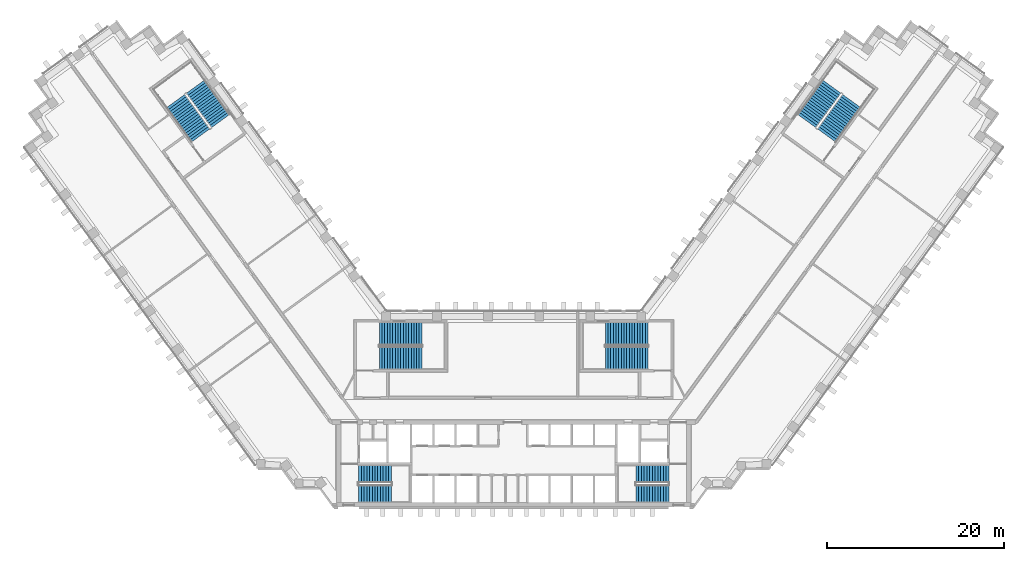
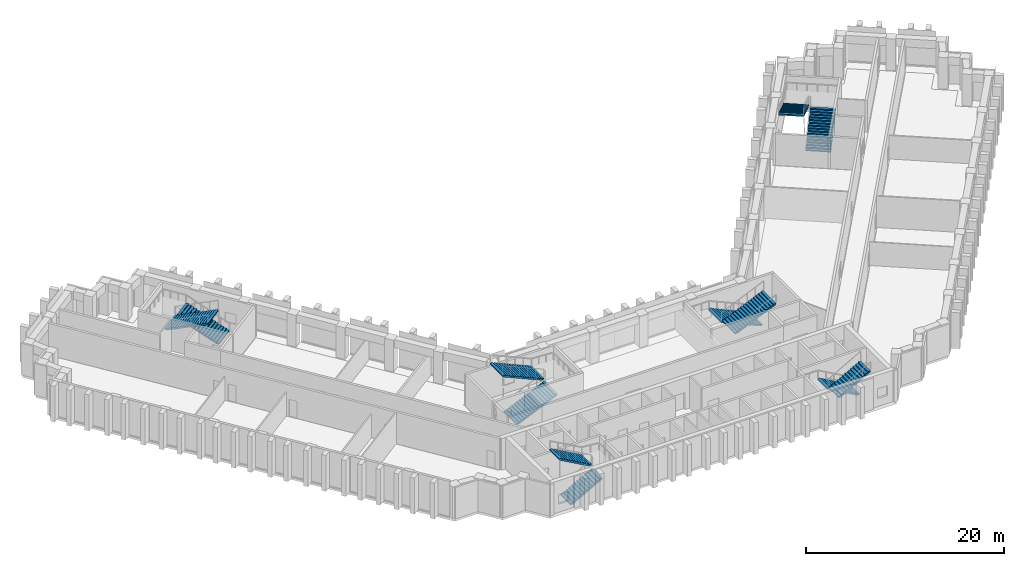
# One storey, part 11 of 14: 12 stair flights, 6 elements without a shape of their own.
"""IFC4 building model written with IfcOpenShell, lengths in metres."""

from ifc_helpers import new_model, si_unit, direction, frame, origin, place, context, subcontext, project, spatial, polyline, outline, extrude, material, type_object, element, aggregate, save


model = new_model("IFC4")

# Units and contexts
model_context = context("Model", 3, precision=1e-05, world=origin(), true_north=direction((0.0, 1.0)))
body_context = subcontext(model_context, "Body", "Model", "MODEL_VIEW")
ifc_project = project(units=[si_unit("LENGTHUNIT", "METRE"), si_unit("AREAUNIT", "SQUARE_METRE"), si_unit("VOLUMEUNIT", "CUBIC_METRE"), si_unit("PLANEANGLEUNIT", "RADIAN"), si_unit("MASSUNIT", "GRAM", prefix="KILO")], contexts=[model_context])

# Site, building, storey
site_placement = place(None, origin())
site = spatial("IfcSite", under=ifc_project, at=site_placement, CompositionType="ELEMENT")
building_placement = place(site_placement, origin())
building = spatial("IfcBuilding", under=site, at=building_placement, Name="Quipu Civic Tower", CompositionType="ELEMENT")
storey_placement = place(building_placement, frame((0.0, 0.0, 20.5)))
storey = spatial("IfcBuildingStorey", under=building, at=storey_placement, Name="L04", CompositionType="ELEMENT", Elevation=20.5)

# Stair, stair flights
ifc_material_1 = material(Name="Concrete C40/50", Category="concrete")
stair_type_1 = type_object("IfcStairType", Name="Half turn stair 2000", PredefinedType="HALF_TURN_STAIR", material=ifc_material_1)
stair_1_placement = place(storey_placement, origin())
stair_1 = element("IfcStair", 1, at=stair_1_placement, inside=storey, type_object=stair_type_1, Name="Exit stair 1", PredefinedType="HALF_TURN_STAIR")
ifc_material_2 = material(Name="Concrete C40/50", Category="concrete")
stair_flight_type_1 = type_object("IfcStairFlightType", Name="Stair flight 2000", PredefinedType="STRAIGHT", material=ifc_material_2)
stair_flight_1_placement = place(storey_placement, frame((-17.5, -9.5, 0.0), z_axis=(0.0, 0.0, 1.0), x_axis=(1.0, 0.0, 0.0)))
stair_flight_1 = element("IfcStairFlight", 2, at=stair_flight_1_placement, type_object=stair_flight_type_1, Name="ST-1 flight 1", NumberOfRisers=13, NumberOfTreads=12, PredefinedType="STRAIGHT", RiserHeight=0.173076923, TreadLength=0.31, context=body_context, shape_type="SweptSolid", body=[
    extrude(outline(polyline([(0.0, 0.0), (0.0, 0.173095703125), (0.31005859375, 0.173095703125), (0.31005859375, 0.34619140625), (0.6201171875, 0.34619140625), (0.6201171875, 0.519287109375), (0.929931640625, 0.519287109375), (0.929931640625, 0.6923828125), (1.239990234375, 0.6923828125), (1.239990234375, 0.865478515625), (1.550048828125, 0.865478515625), (1.550048828125, 1.03857421875), (1.860107421875, 1.03857421875), (1.860107421875, 1.21142578125), (2.169921875, 1.21142578125), (2.169921875, 1.384521484375), (2.47998046875, 1.384521484375), (2.47998046875, 1.5576171875), (2.7900390625, 1.5576171875), (2.7900390625, 1.730712890625), (3.10009765625, 1.730712890625), (3.10009765625, 1.90380859375), (3.409912109375, 1.90380859375), (3.409912109375, 2.076904296875), (3.719970703125, 2.076904296875), (3.719970703125, 2.25), (3.719970703125, 1.9052734375), (0.3076171875, 0.0), (0.0, 0.0)])), frame((0.0, 1.0, 0.0), z_axis=(0.0, -1.0, 0.0), x_axis=(1.0, 0.0, 0.0)), (0.0, 0.0, 1.0), 2.0),
])
stair_flight_2_placement = place(storey_placement, frame((-13.780029296875, -7.25, 2.25), z_axis=(0.0, 0.0, 1.0), x_axis=(-1.0, 0.0, 0.0)))
stair_flight_2 = element("IfcStairFlight", 3, at=stair_flight_2_placement, type_object=stair_flight_type_1, Name="ST-1 flight 2", NumberOfRisers=13, NumberOfTreads=12, PredefinedType="STRAIGHT", RiserHeight=0.173076923, TreadLength=0.31, context=body_context, shape_type="SweptSolid", body=[
    extrude(outline(polyline([(0.0, 0.0), (0.0, 0.173095703125), (0.31005859375, 0.173095703125), (0.31005859375, 0.34619140625), (0.6201171875, 0.34619140625), (0.6201171875, 0.519287109375), (0.929931640625, 0.519287109375), (0.929931640625, 0.6923828125), (1.239990234375, 0.6923828125), (1.239990234375, 0.865478515625), (1.550048828125, 0.865478515625), (1.550048828125, 1.03857421875), (1.860107421875, 1.03857421875), (1.860107421875, 1.21142578125), (2.169921875, 1.21142578125), (2.169921875, 1.384521484375), (2.47998046875, 1.384521484375), (2.47998046875, 1.5576171875), (2.7900390625, 1.5576171875), (2.7900390625, 1.730712890625), (3.10009765625, 1.730712890625), (3.10009765625, 1.90380859375), (3.409912109375, 1.90380859375), (3.409912109375, 2.076904296875), (3.719970703125, 2.076904296875), (3.719970703125, 2.25), (3.719970703125, 1.9052734375), (0.3076171875, 0.0), (0.0, 0.0)])), frame((0.0, 1.0, 0.0), z_axis=(0.0, -1.0, 0.0), x_axis=(1.0, 0.0, 0.0)), (0.0, 0.0, 1.0), 2.0),
])
aggregate(stair_1, [stair_flight_1, stair_flight_2])

stair_2_placement = place(storey_placement, origin())
stair_2 = element("IfcStair", 4, at=stair_2_placement, inside=storey, type_object=stair_type_1, Name="Exit stair 2", PredefinedType="HALF_TURN_STAIR")
stair_flight_3_placement = place(storey_placement, frame((17.5, -7.25, 0.0), z_axis=(0.0, 0.0, 1.0), x_axis=(-1.0, 0.0, 0.0)))
stair_flight_3 = element("IfcStairFlight", 5, at=stair_flight_3_placement, type_object=stair_flight_type_1, Name="ST-2 flight 1", NumberOfRisers=13, NumberOfTreads=12, PredefinedType="STRAIGHT", RiserHeight=0.173076923, TreadLength=0.31, context=body_context, shape_type="SweptSolid", body=[
    extrude(outline(polyline([(0.0, 0.0), (0.0, 0.173095703125), (0.31005859375, 0.173095703125), (0.31005859375, 0.34619140625), (0.6201171875, 0.34619140625), (0.6201171875, 0.519287109375), (0.929931640625, 0.519287109375), (0.929931640625, 0.6923828125), (1.239990234375, 0.6923828125), (1.239990234375, 0.865478515625), (1.550048828125, 0.865478515625), (1.550048828125, 1.03857421875), (1.860107421875, 1.03857421875), (1.860107421875, 1.21142578125), (2.169921875, 1.21142578125), (2.169921875, 1.384521484375), (2.47998046875, 1.384521484375), (2.47998046875, 1.5576171875), (2.7900390625, 1.5576171875), (2.7900390625, 1.730712890625), (3.10009765625, 1.730712890625), (3.10009765625, 1.90380859375), (3.409912109375, 1.90380859375), (3.409912109375, 2.076904296875), (3.719970703125, 2.076904296875), (3.719970703125, 2.25), (3.719970703125, 1.9052734375), (0.3076171875, 0.0), (0.0, 0.0)])), frame((0.0, 1.0, 0.0), z_axis=(0.0, -1.0, 0.0), x_axis=(1.0, 0.0, 0.0)), (0.0, 0.0, 1.0), 2.0),
])
stair_flight_4_placement = place(storey_placement, frame((13.780029296875, -9.5, 2.25), z_axis=(0.0, 0.0, 1.0), x_axis=(1.0, 0.0, 0.0)))
stair_flight_4 = element("IfcStairFlight", 6, at=stair_flight_4_placement, type_object=stair_flight_type_1, Name="ST-2 flight 2", NumberOfRisers=13, NumberOfTreads=12, PredefinedType="STRAIGHT", RiserHeight=0.173076923, TreadLength=0.31, context=body_context, shape_type="SweptSolid", body=[
    extrude(outline(polyline([(0.0, 0.0), (0.0, 0.173095703125), (0.31005859375, 0.173095703125), (0.31005859375, 0.34619140625), (0.6201171875, 0.34619140625), (0.6201171875, 0.519287109375), (0.929931640625, 0.519287109375), (0.929931640625, 0.6923828125), (1.239990234375, 0.6923828125), (1.239990234375, 0.865478515625), (1.550048828125, 0.865478515625), (1.550048828125, 1.03857421875), (1.860107421875, 1.03857421875), (1.860107421875, 1.21142578125), (2.169921875, 1.21142578125), (2.169921875, 1.384521484375), (2.47998046875, 1.384521484375), (2.47998046875, 1.5576171875), (2.7900390625, 1.5576171875), (2.7900390625, 1.730712890625), (3.10009765625, 1.730712890625), (3.10009765625, 1.90380859375), (3.409912109375, 1.90380859375), (3.409912109375, 2.076904296875), (3.719970703125, 2.076904296875), (3.719970703125, 2.25), (3.719970703125, 1.9052734375), (0.3076171875, 0.0), (0.0, 0.0)])), frame((0.0, 1.0, 0.0), z_axis=(0.0, -1.0, 0.0), x_axis=(1.0, 0.0, 0.0)), (0.0, 0.0, 1.0), 2.0),
])
aggregate(stair_2, [stair_flight_3, stair_flight_4])

ifc_material_3 = material(Name="Concrete C40/50", Category="concrete")
stair_type_2 = type_object("IfcStairType", Name="Half turn stair 2600", PredefinedType="HALF_TURN_STAIR", material=ifc_material_3)
stair_3_placement = place(storey_placement, origin())
stair_3 = element("IfcStair", 7, at=stair_3_placement, inside=storey, type_object=stair_type_2, Name="Exit stair 3", PredefinedType="HALF_TURN_STAIR")
ifc_material_4 = material(Name="Concrete C40/50", Category="concrete")
stair_flight_type_2 = type_object("IfcStairFlightType", Name="Stair flight 2600", PredefinedType="STRAIGHT", material=ifc_material_4)
stair_flight_5_placement = place(storey_placement, frame((-15.14990234375, 5.800048828125, 0.0), z_axis=(0.0, 0.0, 1.0), x_axis=(1.0, 0.0, 0.0)))
stair_flight_5 = element("IfcStairFlight", 8, at=stair_flight_5_placement, type_object=stair_flight_type_2, Name="ST-3 flight 1", NumberOfRisers=17, NumberOfTreads=16, PredefinedType="STRAIGHT", RiserHeight=0.132352941, TreadLength=0.3, context=body_context, shape_type="SweptSolid", body=[
    extrude(outline(polyline([(0.0, 0.0), (0.0, 0.13232421875), (0.300048828125, 0.13232421875), (0.300048828125, 0.2646484375), (0.60009765625, 0.2646484375), (0.60009765625, 0.39697265625), (0.89990234375, 0.39697265625), (0.89990234375, 0.529296875), (1.199951171875, 0.529296875), (1.199951171875, 0.661865234375), (1.5, 0.661865234375), (1.5, 0.794189453125), (1.800048828125, 0.794189453125), (1.800048828125, 0.926513671875), (2.10009765625, 0.926513671875), (2.10009765625, 1.058837890625), (2.39990234375, 1.058837890625), (2.39990234375, 1.191162109375), (2.699951171875, 1.191162109375), (2.699951171875, 1.323486328125), (3.0, 1.323486328125), (3.0, 1.455810546875), (3.300048828125, 1.455810546875), (3.300048828125, 1.588134765625), (3.60009765625, 1.588134765625), (3.60009765625, 1.720703125), (3.89990234375, 1.720703125), (3.89990234375, 1.85302734375), (4.199951171875, 1.85302734375), (4.199951171875, 1.9853515625), (4.5, 1.9853515625), (4.5, 2.11767578125), (4.800048828125, 2.11767578125), (4.800048828125, 2.25), (4.800048828125, 1.953857421875), (0.371337890625, 0.0), (0.0, 0.0)])), frame((0.0, 1.300048828125, 0.0), z_axis=(0.0, -1.0, 0.0), x_axis=(1.0, 0.0, 0.0)), (0.0, 0.0, 1.0), 2.60009765625),
])
stair_flight_6_placement = place(storey_placement, frame((-10.35009765625, 8.550048828125, 2.25), z_axis=(0.0, 0.0, 1.0), x_axis=(-1.0, 0.0, 0.0)))
stair_flight_6 = element("IfcStairFlight", 9, at=stair_flight_6_placement, type_object=stair_flight_type_2, Name="ST-3 flight 2", NumberOfRisers=17, NumberOfTreads=16, PredefinedType="STRAIGHT", RiserHeight=0.132352941, TreadLength=0.3, context=body_context, shape_type="SweptSolid", body=[
    extrude(outline(polyline([(0.0, 0.0), (0.0, 0.13232421875), (0.300048828125, 0.13232421875), (0.300048828125, 0.2646484375), (0.60009765625, 0.2646484375), (0.60009765625, 0.39697265625), (0.89990234375, 0.39697265625), (0.89990234375, 0.529296875), (1.199951171875, 0.529296875), (1.199951171875, 0.661865234375), (1.5, 0.661865234375), (1.5, 0.794189453125), (1.800048828125, 0.794189453125), (1.800048828125, 0.926513671875), (2.10009765625, 0.926513671875), (2.10009765625, 1.058837890625), (2.39990234375, 1.058837890625), (2.39990234375, 1.191162109375), (2.699951171875, 1.191162109375), (2.699951171875, 1.323486328125), (3.0, 1.323486328125), (3.0, 1.455810546875), (3.300048828125, 1.455810546875), (3.300048828125, 1.588134765625), (3.60009765625, 1.588134765625), (3.60009765625, 1.720703125), (3.89990234375, 1.720703125), (3.89990234375, 1.85302734375), (4.199951171875, 1.85302734375), (4.199951171875, 1.9853515625), (4.5, 1.9853515625), (4.5, 2.11767578125), (4.800048828125, 2.11767578125), (4.800048828125, 2.25), (4.800048828125, 1.953857421875), (0.371337890625, 0.0), (0.0, 0.0)])), frame((0.0, 1.300048828125, 0.0), z_axis=(0.0, -1.0, 0.0), x_axis=(1.0, 0.0, 0.0)), (0.0, 0.0, 1.0), 2.60009765625),
])
aggregate(stair_3, [stair_flight_5, stair_flight_6])

stair_4_placement = place(storey_placement, origin())
stair_4 = element("IfcStair", 10, at=stair_4_placement, inside=storey, type_object=stair_type_2, Name="Exit stair 4", PredefinedType="HALF_TURN_STAIR")
stair_flight_7_placement = place(storey_placement, frame((15.14990234375, 8.550048828125, 0.0), z_axis=(0.0, 0.0, 1.0), x_axis=(-1.0, 0.0, 0.0)))
stair_flight_7 = element("IfcStairFlight", 11, at=stair_flight_7_placement, type_object=stair_flight_type_2, Name="ST-4 flight 1", NumberOfRisers=17, NumberOfTreads=16, PredefinedType="STRAIGHT", RiserHeight=0.132352941, TreadLength=0.3, context=body_context, shape_type="SweptSolid", body=[
    extrude(outline(polyline([(0.0, 0.0), (0.0, 0.13232421875), (0.300048828125, 0.13232421875), (0.300048828125, 0.2646484375), (0.60009765625, 0.2646484375), (0.60009765625, 0.39697265625), (0.89990234375, 0.39697265625), (0.89990234375, 0.529296875), (1.199951171875, 0.529296875), (1.199951171875, 0.661865234375), (1.5, 0.661865234375), (1.5, 0.794189453125), (1.800048828125, 0.794189453125), (1.800048828125, 0.926513671875), (2.10009765625, 0.926513671875), (2.10009765625, 1.058837890625), (2.39990234375, 1.058837890625), (2.39990234375, 1.191162109375), (2.699951171875, 1.191162109375), (2.699951171875, 1.323486328125), (3.0, 1.323486328125), (3.0, 1.455810546875), (3.300048828125, 1.455810546875), (3.300048828125, 1.588134765625), (3.60009765625, 1.588134765625), (3.60009765625, 1.720703125), (3.89990234375, 1.720703125), (3.89990234375, 1.85302734375), (4.199951171875, 1.85302734375), (4.199951171875, 1.9853515625), (4.5, 1.9853515625), (4.5, 2.11767578125), (4.800048828125, 2.11767578125), (4.800048828125, 2.25), (4.800048828125, 1.953857421875), (0.371337890625, 0.0), (0.0, 0.0)])), frame((0.0, 1.300048828125, 0.0), z_axis=(0.0, -1.0, 0.0), x_axis=(1.0, 0.0, 0.0)), (0.0, 0.0, 1.0), 2.60009765625),
])
stair_flight_8_placement = place(storey_placement, frame((10.35009765625, 5.800048828125, 2.25), z_axis=(0.0, 0.0, 1.0), x_axis=(1.0, 0.0, 0.0)))
stair_flight_8 = element("IfcStairFlight", 12, at=stair_flight_8_placement, type_object=stair_flight_type_2, Name="ST-4 flight 2", NumberOfRisers=17, NumberOfTreads=16, PredefinedType="STRAIGHT", RiserHeight=0.132352941, TreadLength=0.3, context=body_context, shape_type="SweptSolid", body=[
    extrude(outline(polyline([(0.0, 0.0), (0.0, 0.13232421875), (0.300048828125, 0.13232421875), (0.300048828125, 0.2646484375), (0.60009765625, 0.2646484375), (0.60009765625, 0.39697265625), (0.89990234375, 0.39697265625), (0.89990234375, 0.529296875), (1.199951171875, 0.529296875), (1.199951171875, 0.661865234375), (1.5, 0.661865234375), (1.5, 0.794189453125), (1.800048828125, 0.794189453125), (1.800048828125, 0.926513671875), (2.10009765625, 0.926513671875), (2.10009765625, 1.058837890625), (2.39990234375, 1.058837890625), (2.39990234375, 1.191162109375), (2.699951171875, 1.191162109375), (2.699951171875, 1.323486328125), (3.0, 1.323486328125), (3.0, 1.455810546875), (3.300048828125, 1.455810546875), (3.300048828125, 1.588134765625), (3.60009765625, 1.588134765625), (3.60009765625, 1.720703125), (3.89990234375, 1.720703125), (3.89990234375, 1.85302734375), (4.199951171875, 1.85302734375), (4.199951171875, 1.9853515625), (4.5, 1.9853515625), (4.5, 2.11767578125), (4.800048828125, 2.11767578125), (4.800048828125, 2.25), (4.800048828125, 1.953857421875), (0.371337890625, 0.0), (0.0, 0.0)])), frame((0.0, 1.300048828125, 0.0), z_axis=(0.0, -1.0, 0.0), x_axis=(1.0, 0.0, 0.0)), (0.0, 0.0, 1.0), 2.60009765625),
])
aggregate(stair_4, [stair_flight_7, stair_flight_8])

stair_5_placement = place(storey_placement, origin())
stair_5 = element("IfcStair", 13, at=stair_5_placement, inside=storey, type_object=stair_type_2, Name="Exit stair 6", PredefinedType="HALF_TURN_STAIR")
stair_flight_9_placement = place(storey_placement, frame((-33.067626953125, 32.5322265625, 0.0), z_axis=(0.0, 0.0, 1.0), x_axis=(-0.587785252292, 0.809016994375, 0.0)))
stair_flight_9 = element("IfcStairFlight", 14, at=stair_flight_9_placement, type_object=stair_flight_type_2, Name="ST-6 flight 1", NumberOfRisers=17, NumberOfTreads=16, PredefinedType="STRAIGHT", RiserHeight=0.132352941, TreadLength=0.3, context=body_context, shape_type="SweptSolid", body=[
    extrude(outline(polyline([(0.0, 0.0), (0.0, 0.13232421875), (0.300048828125, 0.13232421875), (0.300048828125, 0.2646484375), (0.60009765625, 0.2646484375), (0.60009765625, 0.39697265625), (0.89990234375, 0.39697265625), (0.89990234375, 0.529296875), (1.199951171875, 0.529296875), (1.199951171875, 0.661865234375), (1.5, 0.661865234375), (1.5, 0.794189453125), (1.800048828125, 0.794189453125), (1.800048828125, 0.926513671875), (2.10009765625, 0.926513671875), (2.10009765625, 1.058837890625), (2.39990234375, 1.058837890625), (2.39990234375, 1.191162109375), (2.699951171875, 1.191162109375), (2.699951171875, 1.323486328125), (3.0, 1.323486328125), (3.0, 1.455810546875), (3.300048828125, 1.455810546875), (3.300048828125, 1.588134765625), (3.60009765625, 1.588134765625), (3.60009765625, 1.720703125), (3.89990234375, 1.720703125), (3.89990234375, 1.85302734375), (4.199951171875, 1.85302734375), (4.199951171875, 1.9853515625), (4.5, 1.9853515625), (4.5, 2.11767578125), (4.800048828125, 2.11767578125), (4.800048828125, 2.25), (4.800048828125, 1.953857421875), (0.371337890625, 0.0), (0.0, 0.0)])), frame((0.0, 1.300048828125, 0.0), z_axis=(0.0, -1.0, 0.0), x_axis=(1.0, 0.0, 0.0)), (0.0, 0.0, 1.0), 2.60009765625),
])
stair_flight_10_placement = place(storey_placement, frame((-38.11376953125, 34.799072265625, 2.25), z_axis=(0.0, 0.0, 1.0), x_axis=(0.587785252292, -0.809016994375, 0.0)))
stair_flight_10 = element("IfcStairFlight", 15, at=stair_flight_10_placement, type_object=stair_flight_type_2, Name="ST-6 flight 2", NumberOfRisers=17, NumberOfTreads=16, PredefinedType="STRAIGHT", RiserHeight=0.132352941, TreadLength=0.3, context=body_context, shape_type="SweptSolid", body=[
    extrude(outline(polyline([(0.0, 0.0), (0.0, 0.13232421875), (0.300048828125, 0.13232421875), (0.300048828125, 0.2646484375), (0.60009765625, 0.2646484375), (0.60009765625, 0.39697265625), (0.89990234375, 0.39697265625), (0.89990234375, 0.529296875), (1.199951171875, 0.529296875), (1.199951171875, 0.661865234375), (1.5, 0.661865234375), (1.5, 0.794189453125), (1.800048828125, 0.794189453125), (1.800048828125, 0.926513671875), (2.10009765625, 0.926513671875), (2.10009765625, 1.058837890625), (2.39990234375, 1.058837890625), (2.39990234375, 1.191162109375), (2.699951171875, 1.191162109375), (2.699951171875, 1.323486328125), (3.0, 1.323486328125), (3.0, 1.455810546875), (3.300048828125, 1.455810546875), (3.300048828125, 1.588134765625), (3.60009765625, 1.588134765625), (3.60009765625, 1.720703125), (3.89990234375, 1.720703125), (3.89990234375, 1.85302734375), (4.199951171875, 1.85302734375), (4.199951171875, 1.9853515625), (4.5, 1.9853515625), (4.5, 2.11767578125), (4.800048828125, 2.11767578125), (4.800048828125, 2.25), (4.800048828125, 1.953857421875), (0.371337890625, 0.0), (0.0, 0.0)])), frame((0.0, 1.300048828125, 0.0), z_axis=(0.0, -1.0, 0.0), x_axis=(1.0, 0.0, 0.0)), (0.0, 0.0, 1.0), 2.60009765625),
])
aggregate(stair_5, [stair_flight_9, stair_flight_10])

stair_6_placement = place(storey_placement, origin())
stair_6 = element("IfcStair", 16, at=stair_6_placement, inside=storey, type_object=stair_type_2, Name="Exit stair 7", PredefinedType="HALF_TURN_STAIR")
stair_flight_11_placement = place(storey_placement, frame((35.29248046875, 30.915771484375, 0.0), z_axis=(0.0, 0.0, 1.0), x_axis=(0.587785252292, 0.809016994375, 0.0)))
stair_flight_11 = element("IfcStairFlight", 17, at=stair_flight_11_placement, type_object=stair_flight_type_2, Name="ST-7 flight 1", NumberOfRisers=17, NumberOfTreads=16, PredefinedType="STRAIGHT", RiserHeight=0.132352941, TreadLength=0.3, context=body_context, shape_type="SweptSolid", body=[
    extrude(outline(polyline([(0.0, 0.0), (0.0, 0.13232421875), (0.300048828125, 0.13232421875), (0.300048828125, 0.2646484375), (0.60009765625, 0.2646484375), (0.60009765625, 0.39697265625), (0.89990234375, 0.39697265625), (0.89990234375, 0.529296875), (1.199951171875, 0.529296875), (1.199951171875, 0.661865234375), (1.5, 0.661865234375), (1.5, 0.794189453125), (1.800048828125, 0.794189453125), (1.800048828125, 0.926513671875), (2.10009765625, 0.926513671875), (2.10009765625, 1.058837890625), (2.39990234375, 1.058837890625), (2.39990234375, 1.191162109375), (2.699951171875, 1.191162109375), (2.699951171875, 1.323486328125), (3.0, 1.323486328125), (3.0, 1.455810546875), (3.300048828125, 1.455810546875), (3.300048828125, 1.588134765625), (3.60009765625, 1.588134765625), (3.60009765625, 1.720703125), (3.89990234375, 1.720703125), (3.89990234375, 1.85302734375), (4.199951171875, 1.85302734375), (4.199951171875, 1.9853515625), (4.5, 1.9853515625), (4.5, 2.11767578125), (4.800048828125, 2.11767578125), (4.800048828125, 2.25), (4.800048828125, 1.953857421875), (0.371337890625, 0.0), (0.0, 0.0)])), frame((0.0, 1.300048828125, 0.0), z_axis=(0.0, -1.0, 0.0), x_axis=(1.0, 0.0, 0.0)), (0.0, 0.0, 1.0), 2.60009765625),
])
stair_flight_12_placement = place(storey_placement, frame((35.888916015625, 36.41552734375, 2.25), z_axis=(0.0, 0.0, 1.0), x_axis=(-0.587785252292, -0.809016994375, 0.0)))
stair_flight_12 = element("IfcStairFlight", 18, at=stair_flight_12_placement, type_object=stair_flight_type_2, Name="ST-7 flight 2", NumberOfRisers=17, NumberOfTreads=16, PredefinedType="STRAIGHT", RiserHeight=0.132352941, TreadLength=0.3, context=body_context, shape_type="SweptSolid", body=[
    extrude(outline(polyline([(0.0, 0.0), (0.0, 0.13232421875), (0.300048828125, 0.13232421875), (0.300048828125, 0.2646484375), (0.60009765625, 0.2646484375), (0.60009765625, 0.39697265625), (0.89990234375, 0.39697265625), (0.89990234375, 0.529296875), (1.199951171875, 0.529296875), (1.199951171875, 0.661865234375), (1.5, 0.661865234375), (1.5, 0.794189453125), (1.800048828125, 0.794189453125), (1.800048828125, 0.926513671875), (2.10009765625, 0.926513671875), (2.10009765625, 1.058837890625), (2.39990234375, 1.058837890625), (2.39990234375, 1.191162109375), (2.699951171875, 1.191162109375), (2.699951171875, 1.323486328125), (3.0, 1.323486328125), (3.0, 1.455810546875), (3.300048828125, 1.455810546875), (3.300048828125, 1.588134765625), (3.60009765625, 1.588134765625), (3.60009765625, 1.720703125), (3.89990234375, 1.720703125), (3.89990234375, 1.85302734375), (4.199951171875, 1.85302734375), (4.199951171875, 1.9853515625), (4.5, 1.9853515625), (4.5, 2.11767578125), (4.800048828125, 2.11767578125), (4.800048828125, 2.25), (4.800048828125, 1.953857421875), (0.371337890625, 0.0), (0.0, 0.0)])), frame((0.0, 1.300048828125, 0.0), z_axis=(0.0, -1.0, 0.0), x_axis=(1.0, 0.0, 0.0)), (0.0, 0.0, 1.0), 2.60009765625),
])
aggregate(stair_6, [stair_flight_11, stair_flight_12])

save(model, "model.ifc")
